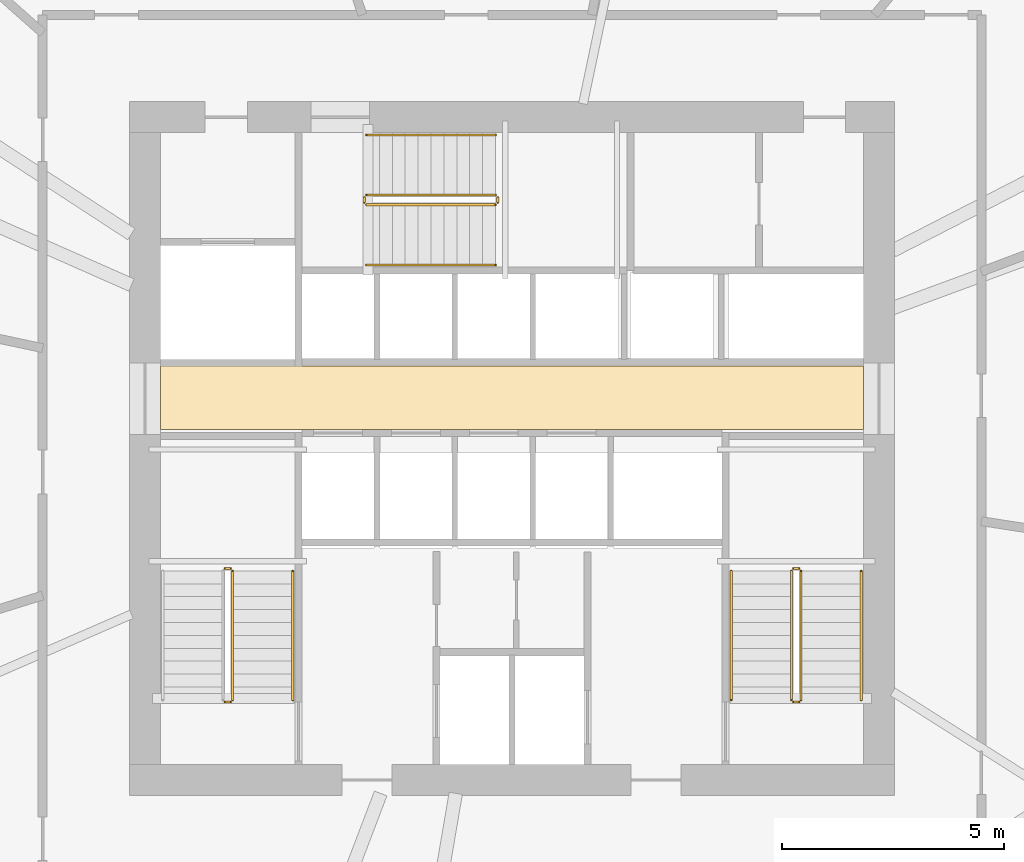
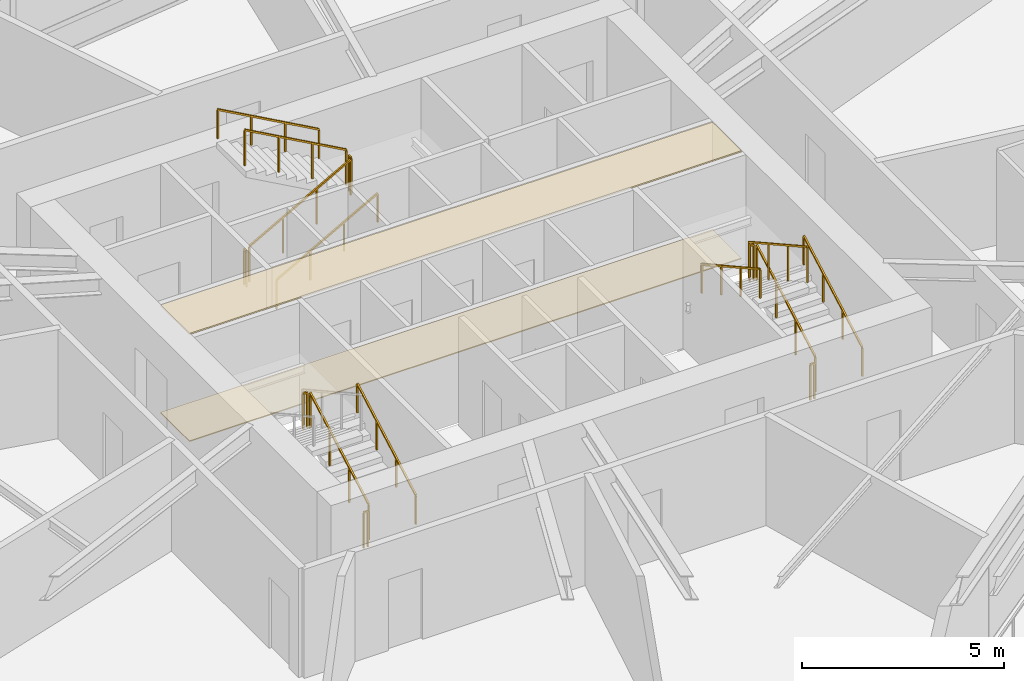
# One storey, part 15 of 16: 16 railings, 2 coverings.
"""IFC4 building model written with IfcOpenShell, lengths in metres."""

from ifc_helpers import new_model, si_unit, direction, frame, origin, origin_2d, place, context, subcontext, project, spatial, polyline, rectangle, outline, extrude, material, layer, layer_set, type_object, element, save


model = new_model("IFC4")

# Units and contexts
model_context = context("Model", 3, precision=1e-05, world=origin(), true_north=direction((0.0, 1.0)))
body_context = subcontext(model_context, "Body", "Model", "MODEL_VIEW")
ifc_project = project(units=[si_unit("LENGTHUNIT", "METRE"), si_unit("AREAUNIT", "SQUARE_METRE"), si_unit("VOLUMEUNIT", "CUBIC_METRE"), si_unit("PLANEANGLEUNIT", "RADIAN"), si_unit("MASSUNIT", "GRAM", prefix="KILO")], contexts=[model_context])

# Site, building, storey
site_placement = place(None, origin())
site = spatial("IfcSite", under=ifc_project, at=site_placement, CompositionType="ELEMENT")
building_placement = place(site_placement, origin())
building = spatial("IfcBuilding", under=site, at=building_placement, Name="Olszyna Solenne Hotel", CompositionType="ELEMENT")
storey_placement = place(building_placement, frame((0.0, 0.0, 127.0)))
storey = spatial("IfcBuildingStorey", under=building, at=storey_placement, Name="L33", CompositionType="ELEMENT", Elevation=127.0)

# Coverings
ifc_material_1 = material(Name="Mineral wool acoustic ceiling")
ifc_layer_1 = layer(ifc_material_1, 0.0400390625, Name="Mineral wool acoustic ceiling")
ifc_layer_set_1 = layer_set([ifc_layer_1], Name="Mineral wool acoustic ceiling")
covering_type_1 = type_object("IfcCoveringType", Name="CL-AC1", PredefinedType="CEILING", material=ifc_layer_set_1)
covering_1_placement = place(storey_placement, frame((0.0, 0.0, 3.239990234375)))
element("IfcCovering", 1, at=covering_1_placement, inside=storey, type_object=covering_type_1, Name="Lift lobby acoustic tile ceiling CL-L33-01", PredefinedType="CEILING", context=body_context, shape_type="SweptSolid", body=[
    extrude(outline(polyline([(30.10009765625, 27.030029296875), (45.89990234375, 27.030029296875), (45.89990234375, 28.4599609375), (30.10009765625, 28.4599609375), (30.10009765625, 27.030029296875)])), origin(), (0.0, 0.0, 1.0), 0.0400390625),
])
ifc_material_2 = material(Name="Ceramic floor tile")
ifc_layer_2 = layer(ifc_material_2, 0.030029296875, Name="Ceramic floor tile")
ifc_layer_set_2 = layer_set([ifc_layer_2], Name="Ceramic floor tile")
covering_type_2 = type_object("IfcCoveringType", Name="FL-TL1", PredefinedType="FLOORING", material=ifc_layer_set_2)
covering_2_placement = place(storey_placement, origin())
element("IfcCovering", 2, at=covering_2_placement, inside=storey, type_object=covering_type_2, Name="Lift lobby stoneware floor finish FLR-L33-01", PredefinedType="FLOORING", context=body_context, shape_type="SweptSolid", body=[
    extrude(outline(polyline([(30.10009765625, 27.030029296875), (45.89990234375, 27.030029296875), (45.89990234375, 28.4599609375), (30.10009765625, 28.4599609375), (30.10009765625, 27.030029296875)])), origin(), (0.0, 0.0, 1.0), 0.030029296875),
])

# Railings
ifc_material_3 = material(Name="Anodised bronze aluminium", Category="aluminium")
railing_type_1 = type_object("IfcRailingType", Name="GR-110", PredefinedType="BALUSTRADE", material=ifc_material_3)
railing_1_placement = place(storey_placement, frame((31.719970703125, 20.949951171875, 0.161376953125)))
element("IfcRailing", 3, at=railing_1_placement, inside=storey, type_object=railing_type_1, Name="L33 ST1 stair guard 1", PredefinedType="BALUSTRADE", context=body_context, shape_type="SweptSolid", body=[
    extrude(rectangle(XDim=0.048095703125, YDim=0.048095703125, at=origin_2d()), frame((0.0, 0.0, 1.076171875), z_axis=(0.0, 0.873858693841, 0.486179990537), x_axis=(-1.0, 0.0, 0.0)), (0.0, 0.0, 1.0), 3.31884765625),
    extrude(rectangle(XDim=0.0419921875, YDim=0.0419921875, at=origin_2d()), origin(), (0.0, 0.0, 1.0), 1.052001953125),
    extrude(rectangle(XDim=0.0419921875, YDim=0.0419921875, at=origin_2d()), frame((0.0, 0.966796875, 0.537841796875)), (0.0, 0.0, 1.0), 1.052001953125),
    extrude(rectangle(XDim=0.0419921875, YDim=0.0419921875, at=origin_2d()), frame((0.0, 1.933349609375, 1.07568359375)), (0.0, 0.0, 1.0), 1.052001953125),
    extrude(rectangle(XDim=0.0419921875, YDim=0.0419921875, at=origin_2d()), frame((0.0, 2.900146484375, 1.613525390625)), (0.0, 0.0, 1.0), 1.052001953125),
])
for number, where, name in (
    (4, (31.669921875, 23.89990234375, 1.77490234375), "L33 ST1 stair guard 2"),
    (5, (31.669921875, 20.89990234375, 0.0), "L33 ST1 stair guard 4"),
):
    element("IfcRailing", number, at=place(storey_placement, frame(where)), inside=storey, type_object=railing_type_1, Name=name, PredefinedType="BALUSTRADE", context=body_context, shape_type="SweptSolid", body=[
        extrude(rectangle(XDim=0.048095703125, YDim=0.048095703125, at=origin_2d()), frame((0.0, 0.0, 1.076171875), z_axis=(-1.0, 0.0, 0.0), x_axis=(0.0, -1.0, 0.0)), (0.0, 0.0, 1.0), 0.119873046875),
        extrude(rectangle(XDim=0.0419921875, YDim=0.0419921875, at=origin_2d()), origin(), (0.0, 0.0, 1.0), 1.052001953125),
        extrude(rectangle(XDim=0.0419921875, YDim=0.0419921875, at=origin_2d()), frame((-0.119873046875, 0.0, 0.0)), (0.0, 0.0, 1.0), 1.052001953125),
    ])
railing_2_placement = place(storey_placement, frame((44.5, 20.949951171875, 0.161376953125)))
element("IfcRailing", 6, at=railing_2_placement, inside=storey, type_object=railing_type_1, Name="L33 ST2 stair guard 1", PredefinedType="BALUSTRADE", context=body_context, shape_type="SweptSolid", body=[
    extrude(rectangle(XDim=0.048095703125, YDim=0.048095703125, at=origin_2d()), frame((0.0, 0.0, 1.076171875), z_axis=(0.0, 0.873858693841, 0.486179990537), x_axis=(-1.0, 0.0, 0.0)), (0.0, 0.0, 1.0), 3.31884765625),
    extrude(rectangle(XDim=0.0419921875, YDim=0.0419921875, at=origin_2d()), origin(), (0.0, 0.0, 1.0), 1.052001953125),
    extrude(rectangle(XDim=0.0419921875, YDim=0.0419921875, at=origin_2d()), frame((0.0, 0.966796875, 0.537841796875)), (0.0, 0.0, 1.0), 1.052001953125),
    extrude(rectangle(XDim=0.0419921875, YDim=0.0419921875, at=origin_2d()), frame((0.0, 1.933349609375, 1.07568359375)), (0.0, 0.0, 1.0), 1.052001953125),
    extrude(rectangle(XDim=0.0419921875, YDim=0.0419921875, at=origin_2d()), frame((0.0, 2.900146484375, 1.613525390625)), (0.0, 0.0, 1.0), 1.052001953125),
])
railing_3_placement = place(storey_placement, frame((44.449951171875, 23.89990234375, 1.77490234375)))
element("IfcRailing", 7, at=railing_3_placement, inside=storey, type_object=railing_type_1, Name="L33 ST2 stair guard 2", PredefinedType="BALUSTRADE", context=body_context, shape_type="SweptSolid", body=[
    extrude(rectangle(XDim=0.048095703125, YDim=0.048095703125, at=origin_2d()), frame((0.0, 0.0, 1.076171875), z_axis=(-1.0, 0.0, 0.0), x_axis=(0.0, -1.0, 0.0)), (0.0, 0.0, 1.0), 0.119873046875),
    extrude(rectangle(XDim=0.0419921875, YDim=0.0419921875, at=origin_2d()), origin(), (0.0, 0.0, 1.0), 1.052001953125),
    extrude(rectangle(XDim=0.0419921875, YDim=0.0419921875, at=origin_2d()), frame((-0.119873046875, 0.0, 0.0)), (0.0, 0.0, 1.0), 1.052001953125),
])
railing_4_placement = place(storey_placement, frame((44.280029296875, 23.85009765625, 1.936279296875)))
element("IfcRailing", 8, at=railing_4_placement, inside=storey, type_object=railing_type_1, Name="L33 ST2 stair guard 3", PredefinedType="BALUSTRADE", context=body_context, shape_type="SweptSolid", body=[
    extrude(rectangle(XDim=0.048095703125, YDim=0.048095703125, at=origin_2d()), frame((0.0, 0.0, 1.076171875), z_axis=(0.0, -0.873827439584, 0.48623616261), x_axis=(1.0, 0.0, 0.0)), (0.0, 0.0, 1.0), 3.31884765625),
    extrude(rectangle(XDim=0.0419921875, YDim=0.0419921875, at=origin_2d()), origin(), (0.0, 0.0, 1.0), 1.052001953125),
    extrude(rectangle(XDim=0.0419921875, YDim=0.0419921875, at=origin_2d()), frame((0.0, -0.966796875, 0.537841796875)), (0.0, 0.0, 1.0), 1.052001953125),
    extrude(rectangle(XDim=0.0419921875, YDim=0.0419921875, at=origin_2d()), frame((0.0, -1.933349609375, 1.075927734375)), (0.0, 0.0, 1.0), 1.052001953125),
    extrude(rectangle(XDim=0.0419921875, YDim=0.0419921875, at=origin_2d()), frame((0.0, -2.900146484375, 1.61376953125)), (0.0, 0.0, 1.0), 1.052001953125),
])
railing_5_placement = place(storey_placement, frame((44.449951171875, 20.89990234375, 0.0)))
element("IfcRailing", 9, at=railing_5_placement, inside=storey, type_object=railing_type_1, Name="L33 ST2 stair guard 4", PredefinedType="BALUSTRADE", context=body_context, shape_type="SweptSolid", body=[
    extrude(rectangle(XDim=0.048095703125, YDim=0.048095703125, at=origin_2d()), frame((0.0, 0.0, 1.076171875), z_axis=(-1.0, 0.0, 0.0), x_axis=(0.0, -1.0, 0.0)), (0.0, 0.0, 1.0), 0.119873046875),
    extrude(rectangle(XDim=0.0419921875, YDim=0.0419921875, at=origin_2d()), origin(), (0.0, 0.0, 1.0), 1.052001953125),
    extrude(rectangle(XDim=0.0419921875, YDim=0.0419921875, at=origin_2d()), frame((-0.119873046875, 0.0, 0.0)), (0.0, 0.0, 1.0), 1.052001953125),
])
railing_6_placement = place(storey_placement, frame((34.72998046875, 32.080078125, 0.161376953125)))
element("IfcRailing", 10, at=railing_6_placement, inside=storey, type_object=railing_type_1, Name="L33 ST3 stair guard 1", PredefinedType="BALUSTRADE", context=body_context, shape_type="SweptSolid", body=[
    extrude(rectangle(XDim=0.048095703125, YDim=0.048095703125, at=origin_2d()), frame((0.0, 0.0, 1.076171875), z_axis=(0.873841303929, 0.0, 0.486211245805), x_axis=(0.0, 1.0, 0.0)), (0.0, 0.0, 1.0), 3.318603515625),
    extrude(rectangle(XDim=0.0419921875, YDim=0.0419921875, at=origin_2d()), origin(), (0.0, 0.0, 1.0), 1.052001953125),
    extrude(rectangle(XDim=0.0419921875, YDim=0.0419921875, at=origin_2d()), frame((0.966552734375, 0.0, 0.537841796875)), (0.0, 0.0, 1.0), 1.052001953125),
    extrude(rectangle(XDim=0.0419921875, YDim=0.0419921875, at=origin_2d()), frame((1.933349609375, 0.0, 1.07568359375)), (0.0, 0.0, 1.0), 1.052001953125),
    extrude(rectangle(XDim=0.0419921875, YDim=0.0419921875, at=origin_2d()), frame((2.89990234375, 0.0, 1.613525390625)), (0.0, 0.0, 1.0), 1.052001953125),
])
railing_7_placement = place(storey_placement, frame((37.679931640625, 32.1298828125, 1.77490234375)))
element("IfcRailing", 11, at=railing_7_placement, inside=storey, type_object=railing_type_1, Name="L33 ST3 stair guard 2", PredefinedType="BALUSTRADE", context=body_context, shape_type="SweptSolid", body=[
    extrude(rectangle(XDim=0.048095703125, YDim=0.048095703125, at=origin_2d()), frame((0.0, 0.0, 1.076171875), z_axis=(0.0, 1.0, 0.0), x_axis=(-1.0, 0.0, 0.0)), (0.0, 0.0, 1.0), 0.1201171875),
    extrude(rectangle(XDim=0.0419921875, YDim=0.0419921875, at=origin_2d()), origin(), (0.0, 0.0, 1.0), 1.052001953125),
    extrude(rectangle(XDim=0.0419921875, YDim=0.0419921875, at=origin_2d()), frame((0.0, 0.1201171875, 0.0)), (0.0, 0.0, 1.0), 1.052001953125),
])
railing_8_placement = place(storey_placement, frame((37.6298828125, 32.300048828125, 1.936279296875)))
element("IfcRailing", 12, at=railing_8_placement, inside=storey, type_object=railing_type_1, Name="L33 ST3 stair guard 3", PredefinedType="BALUSTRADE", context=body_context, shape_type="SweptSolid", body=[
    extrude(rectangle(XDim=0.048095703125, YDim=0.048095703125, at=origin_2d()), frame((0.0, 0.0, 1.076171875), z_axis=(-0.873810046276, 0.0, 0.486267419253), x_axis=(0.0, -1.0, 0.0)), (0.0, 0.0, 1.0), 3.318603515625),
    extrude(rectangle(XDim=0.0419921875, YDim=0.0419921875, at=origin_2d()), origin(), (0.0, 0.0, 1.0), 1.052001953125),
    extrude(rectangle(XDim=0.0419921875, YDim=0.0419921875, at=origin_2d()), frame((-0.966552734375, 0.0, 0.537841796875)), (0.0, 0.0, 1.0), 1.052001953125),
    extrude(rectangle(XDim=0.0419921875, YDim=0.0419921875, at=origin_2d()), frame((-1.933349609375, 0.0, 1.075927734375)), (0.0, 0.0, 1.0), 1.052001953125),
    extrude(rectangle(XDim=0.0419921875, YDim=0.0419921875, at=origin_2d()), frame((-2.89990234375, 0.0, 1.61376953125)), (0.0, 0.0, 1.0), 1.052001953125),
])
railing_9_placement = place(storey_placement, frame((34.679931640625, 32.1298828125, 0.0)))
element("IfcRailing", 13, at=railing_9_placement, inside=storey, type_object=railing_type_1, Name="L33 ST3 stair guard 4", PredefinedType="BALUSTRADE", context=body_context, shape_type="SweptSolid", body=[
    extrude(rectangle(XDim=0.048095703125, YDim=0.048095703125, at=origin_2d()), frame((0.0, 0.0, 1.076171875), z_axis=(0.0, 1.0, 0.0), x_axis=(-1.0, 0.0, 0.0)), (0.0, 0.0, 1.0), 0.1201171875),
    extrude(rectangle(XDim=0.0419921875, YDim=0.0419921875, at=origin_2d()), origin(), (0.0, 0.0, 1.0), 1.052001953125),
    extrude(rectangle(XDim=0.0419921875, YDim=0.0419921875, at=origin_2d()), frame((0.0, 0.1201171875, 0.0)), (0.0, 0.0, 1.0), 1.052001953125),
])
ifc_material_4 = material(Name="Steel S355J2", Category="steel")
railing_type_2 = type_object("IfcRailingType", Name="HR-090", PredefinedType="HANDRAIL", material=ifc_material_4)
for number, where, name in (
    (14, (33.070068359375, 20.949951171875, 0.161376953125), "L33 ST1 stair handrail 1"),
    (15, (45.85009765625, 20.949951171875, 0.161376953125), "L33 ST2 stair handrail 1"),
):
    element("IfcRailing", number, at=place(storey_placement, frame(where)), inside=storey, type_object=railing_type_2, Name=name, PredefinedType="HANDRAIL", context=body_context, shape_type="SweptSolid", body=[
        extrude(rectangle(XDim=0.048095703125, YDim=0.048095703125, at=origin_2d()), frame((0.0, 0.0, 0.8759765625), z_axis=(0.0, 0.873858693841, 0.486179990537), x_axis=(-1.0, 0.0, 0.0)), (0.0, 0.0, 1.0), 3.31884765625),
        extrude(rectangle(XDim=0.0419921875, YDim=0.0419921875, at=origin_2d()), origin(), (0.0, 0.0, 1.0), 0.851806640625),
        extrude(rectangle(XDim=0.0419921875, YDim=0.0419921875, at=origin_2d()), frame((0.0, 0.966796875, 0.537841796875)), (0.0, 0.0, 1.0), 0.851806640625),
        extrude(rectangle(XDim=0.0419921875, YDim=0.0419921875, at=origin_2d()), frame((0.0, 1.933349609375, 1.07568359375)), (0.0, 0.0, 1.0), 0.851806640625),
        extrude(rectangle(XDim=0.0419921875, YDim=0.0419921875, at=origin_2d()), frame((0.0, 2.900146484375, 1.613525390625)), (0.0, 0.0, 1.0), 0.851806640625),
    ])
railing_10_placement = place(storey_placement, frame((42.929931640625, 23.85009765625, 1.936279296875)))
element("IfcRailing", 16, at=railing_10_placement, inside=storey, type_object=railing_type_2, Name="L33 ST2 stair handrail 2", PredefinedType="HANDRAIL", context=body_context, shape_type="SweptSolid", body=[
    extrude(rectangle(XDim=0.048095703125, YDim=0.048095703125, at=origin_2d()), frame((0.0, 0.0, 0.8759765625), z_axis=(0.0, -0.873827439584, 0.48623616261), x_axis=(1.0, 0.0, 0.0)), (0.0, 0.0, 1.0), 3.31884765625),
    extrude(rectangle(XDim=0.0419921875, YDim=0.0419921875, at=origin_2d()), origin(), (0.0, 0.0, 1.0), 0.851806640625),
    extrude(rectangle(XDim=0.0419921875, YDim=0.0419921875, at=origin_2d()), frame((0.0, -0.966796875, 0.537841796875)), (0.0, 0.0, 1.0), 0.851806640625),
    extrude(rectangle(XDim=0.0419921875, YDim=0.0419921875, at=origin_2d()), frame((0.0, -1.933349609375, 1.075927734375)), (0.0, 0.0, 1.0), 0.851806640625),
    extrude(rectangle(XDim=0.0419921875, YDim=0.0419921875, at=origin_2d()), frame((0.0, -2.900146484375, 1.61376953125)), (0.0, 0.0, 1.0), 0.851806640625),
])
railing_11_placement = place(storey_placement, frame((34.72998046875, 30.72998046875, 0.161376953125)))
element("IfcRailing", 17, at=railing_11_placement, inside=storey, type_object=railing_type_2, Name="L33 ST3 stair handrail 1", PredefinedType="HANDRAIL", context=body_context, shape_type="SweptSolid", body=[
    extrude(rectangle(XDim=0.048095703125, YDim=0.048095703125, at=origin_2d()), frame((0.0, 0.0, 0.8759765625), z_axis=(0.873841303929, 0.0, 0.486211245805), x_axis=(0.0, 1.0, 0.0)), (0.0, 0.0, 1.0), 3.318603515625),
    extrude(rectangle(XDim=0.0419921875, YDim=0.0419921875, at=origin_2d()), origin(), (0.0, 0.0, 1.0), 0.851806640625),
    extrude(rectangle(XDim=0.0419921875, YDim=0.0419921875, at=origin_2d()), frame((0.966552734375, 0.0, 0.537841796875)), (0.0, 0.0, 1.0), 0.851806640625),
    extrude(rectangle(XDim=0.0419921875, YDim=0.0419921875, at=origin_2d()), frame((1.933349609375, 0.0, 1.07568359375)), (0.0, 0.0, 1.0), 0.851806640625),
    extrude(rectangle(XDim=0.0419921875, YDim=0.0419921875, at=origin_2d()), frame((2.89990234375, 0.0, 1.613525390625)), (0.0, 0.0, 1.0), 0.851806640625),
])
railing_12_placement = place(storey_placement, frame((37.6298828125, 33.64990234375, 1.936279296875)))
element("IfcRailing", 18, at=railing_12_placement, inside=storey, type_object=railing_type_2, Name="L33 ST3 stair handrail 2", PredefinedType="HANDRAIL", context=body_context, shape_type="SweptSolid", body=[
    extrude(rectangle(XDim=0.048095703125, YDim=0.048095703125, at=origin_2d()), frame((0.0, 0.0, 0.8759765625), z_axis=(-0.873810046276, 0.0, 0.486267419253), x_axis=(0.0, -1.0, 0.0)), (0.0, 0.0, 1.0), 3.318603515625),
    extrude(rectangle(XDim=0.0419921875, YDim=0.0419921875, at=origin_2d()), origin(), (0.0, 0.0, 1.0), 0.851806640625),
    extrude(rectangle(XDim=0.0419921875, YDim=0.0419921875, at=origin_2d()), frame((-0.966552734375, 0.0, 0.537841796875)), (0.0, 0.0, 1.0), 0.851806640625),
    extrude(rectangle(XDim=0.0419921875, YDim=0.0419921875, at=origin_2d()), frame((-1.933349609375, 0.0, 1.075927734375)), (0.0, 0.0, 1.0), 0.851806640625),
    extrude(rectangle(XDim=0.0419921875, YDim=0.0419921875, at=origin_2d()), frame((-2.89990234375, 0.0, 1.61376953125)), (0.0, 0.0, 1.0), 0.851806640625),
])

save(model, "model.ifc")
